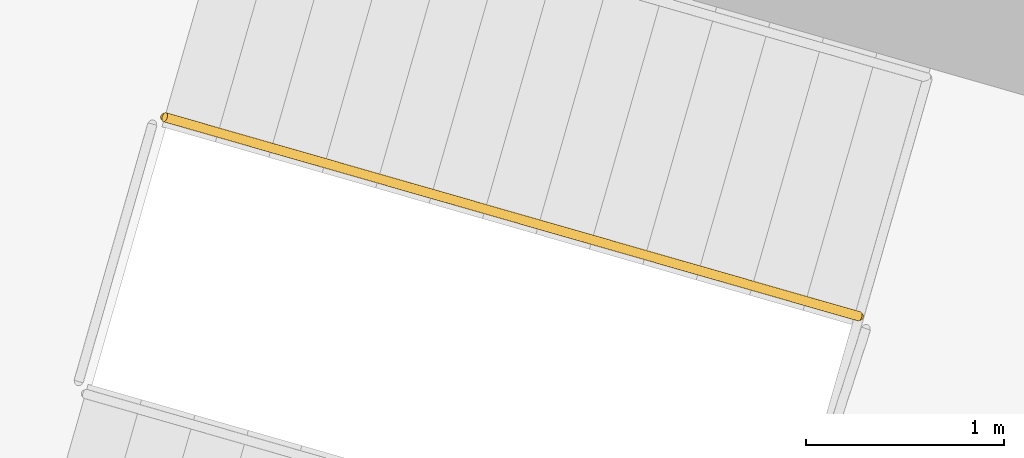
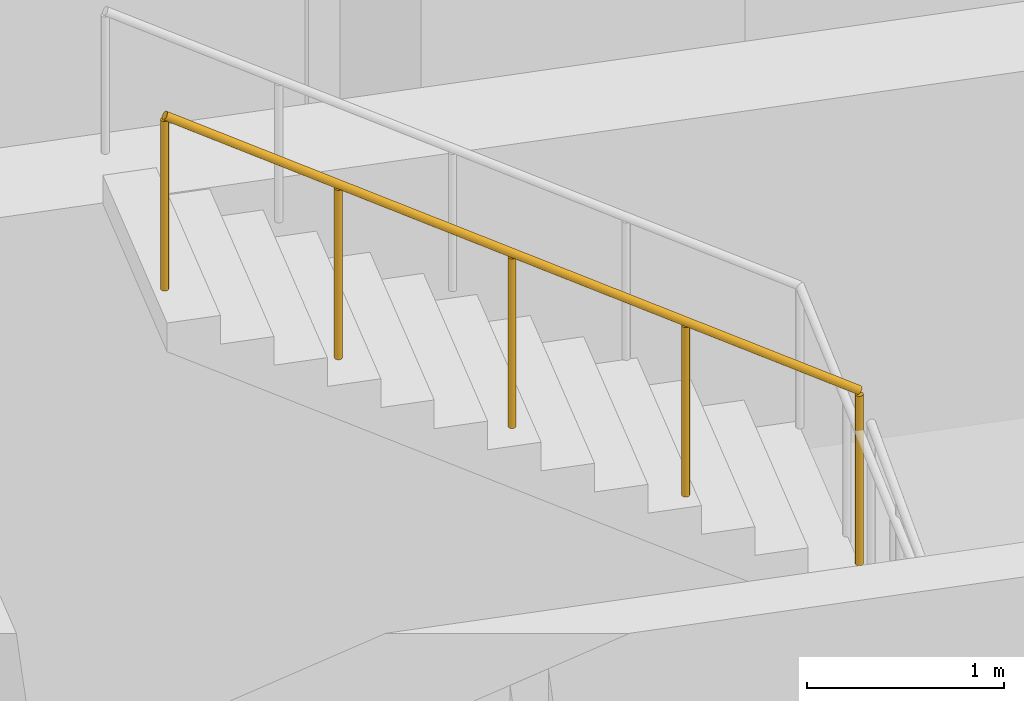
# One storey, part 15 of 15: 1 railing.
"""IFC4 building model written with IfcOpenShell, lengths in metres."""

from ifc_helpers import new_model, si_unit, direction, frame, origin, origin_2d, place, context, subcontext, project, spatial, circle, extrude, material, type_object, element, save


model = new_model("IFC4")

# Units and contexts
model_context = context("Model", 3, precision=1e-05, world=origin(), true_north=direction((0.0, 1.0)))
body_context = subcontext(model_context, "Body", "Model", "MODEL_VIEW")
ifc_project = project(units=[si_unit("LENGTHUNIT", "METRE"), si_unit("AREAUNIT", "SQUARE_METRE"), si_unit("VOLUMEUNIT", "CUBIC_METRE"), si_unit("PLANEANGLEUNIT", "RADIAN"), si_unit("MASSUNIT", "GRAM", prefix="KILO")], contexts=[model_context])

# Site, building, storey
site_placement = place(None, origin())
site = spatial("IfcSite", under=ifc_project, at=site_placement, CompositionType="ELEMENT")
building_placement = place(site_placement, origin())
building = spatial("IfcBuilding", under=site, at=building_placement, Name="Binnacle Exchange Tower", CompositionType="ELEMENT")
storey_placement = place(building_placement, frame((0.0, 0.0, 16.5)))
storey = spatial("IfcBuildingStorey", under=building, at=storey_placement, Name="L03", CompositionType="ELEMENT", Elevation=16.5)

# Railing
ifc_material = material(Name="Steel guard rail", Category="steel")
railing_type = type_object("IfcRailingType", Name="STAIR GUARD 1100", PredefinedType="GUARDRAIL", material=ifc_material)
railing_placement = place(storey_placement, frame((24.9853515625, 57.100830078125, 2.678466796875)))
element("IfcRailing", 1, at=railing_placement, inside=storey, type_object=railing_type, Name="L03 STD1 stair guard 2", PredefinedType="GUARDRAIL", context=body_context, shape_type="SweptSolid", body=[
    extrude(circle(Radius=0.02392578125, at=origin_2d()), frame((0.0, 0.0, 1.076171875), z_axis=(-0.810455892038, 0.232415135102, 0.537721537635), x_axis=(-0.275659984683, -0.961255206927, 0.0)), (0.0, 0.0, 1.0), 4.3173828125),
    extrude(circle(Radius=0.02099609375, at=origin_2d()), origin(), (0.0, 0.0, 1.0), 1.052001953125),
    extrude(circle(Radius=0.02099609375, at=origin_2d()), frame((-0.874755859375, 0.2509765625, 0.580322265625)), (0.0, 0.0, 1.0), 1.052001953125),
    extrude(circle(Radius=0.02099609375, at=origin_2d()), frame((-1.74951171875, 0.501708984375, 1.16064453125)), (0.0, 0.0, 1.0), 1.052001953125),
    extrude(circle(Radius=0.02099609375, at=origin_2d()), frame((-2.624267578125, 0.75244140625, 1.7412109375)), (0.0, 0.0, 1.0), 1.052001953125),
    extrude(circle(Radius=0.02099609375, at=origin_2d()), frame((-3.4990234375, 1.00341796875, 2.321533203125)), (0.0, 0.0, 1.0), 1.052001953125),
])

save(model, "model.ifc")
